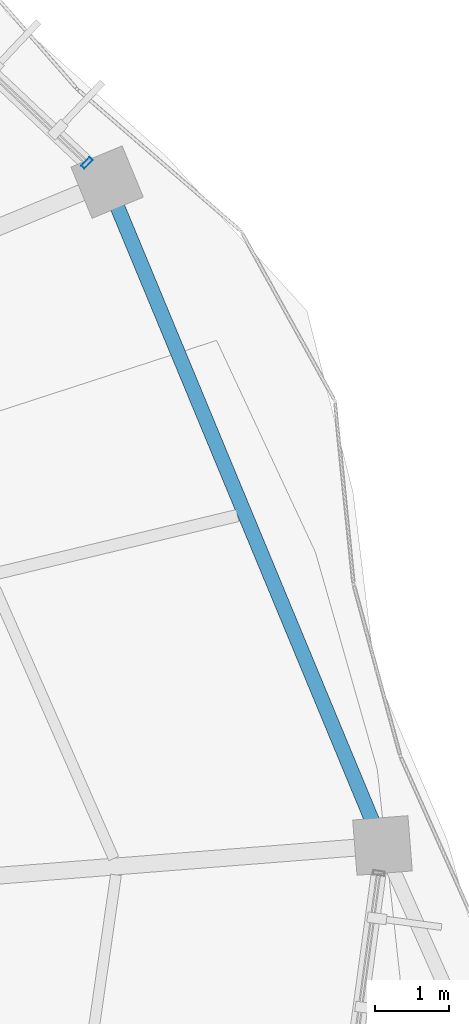
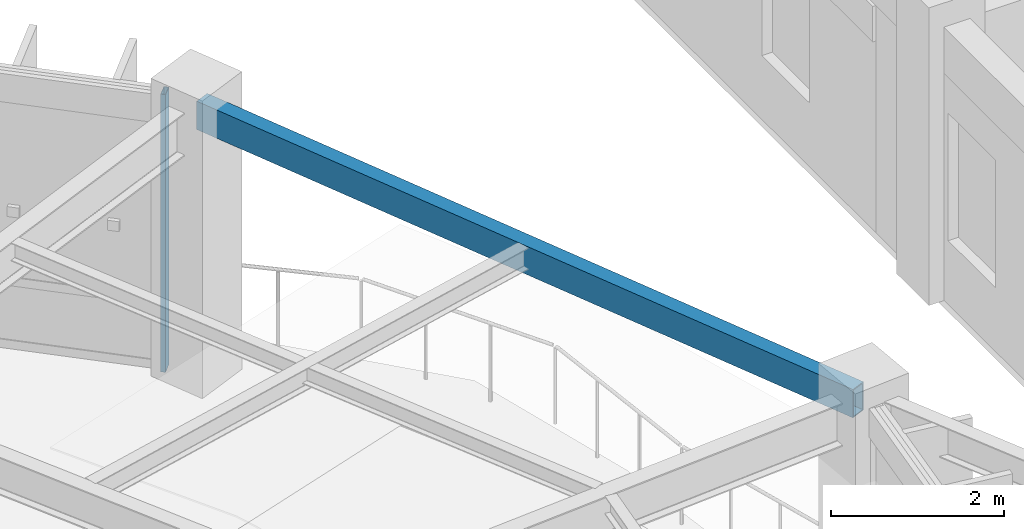
# One storey, part 107 of 152: 1 beam, 1 member, 1 element without a shape of its own.
"""IFC4 building model written with IfcOpenShell, lengths in metres."""

from ifc_helpers import new_model, si_unit, direction, frame, origin, origin_2d, place, context, subcontext, project, spatial, hollow_rectangle, extrude, material, material_profile, profile_set, type_object, element, aggregate, save


model = new_model("IFC4")

# Units and contexts
model_context = context("Model", 3, precision=1e-05, world=origin(), true_north=direction((0.0, 1.0)))
body_context = subcontext(model_context, "Body", "Model", "MODEL_VIEW")
ifc_project = project(units=[si_unit("LENGTHUNIT", "METRE"), si_unit("AREAUNIT", "SQUARE_METRE"), si_unit("VOLUMEUNIT", "CUBIC_METRE"), si_unit("PLANEANGLEUNIT", "RADIAN"), si_unit("MASSUNIT", "GRAM", prefix="KILO"), si_unit("THERMODYNAMICTEMPERATUREUNIT", "KELVIN"), si_unit("POWERUNIT", "WATT")], contexts=[model_context])

# Site, building, storey
site_placement = place(None, origin())
site = spatial("IfcSite", under=ifc_project, at=site_placement, CompositionType="ELEMENT")
building_placement = place(site_placement, origin())
building = spatial("IfcBuilding", under=site, at=building_placement, Name="Darbajah Civic Hall", CompositionType="ELEMENT")
storey_placement = place(building_placement, frame((0.0, 0.0, 5.39990234375)))
storey = spatial("IfcBuildingStorey", under=building, at=storey_placement, Name="L01", CompositionType="ELEMENT", Elevation=5.39990234375)

# Curtain wall, member
ifc_material_1 = material(Name="Anodised Bronze Aluminium and Low-E Glazing", Category="aluminium")
curtain_wall_type = type_object("IfcCurtainWallType", Name="Unitised Curtain Wall CW-19 10700x3900", PredefinedType="USERDEFINED", material=ifc_material_1)
curtain_wall_placement = place(storey_placement, origin())
curtain_wall = element("IfcCurtainWall", 1, at=curtain_wall_placement, inside=storey, type_object=curtain_wall_type, Name="L01 unitised curtain wall CW-V1O-L01-01", ObjectType="UNITISED CURTAIN WALL", PredefinedType="USERDEFINED")
ifc_material_2 = material(Name="Anodised Bronze Aluminium", Category="aluminium")
ifc_material_profile_1 = material_profile(ifc_material_2, hollow_rectangle(XDim=0.06005859375, YDim=0.159912109375, WallThickness=0.00341796875, at=origin_2d()), Name="ALU MULLION 60x160")
ifc_profile_set_1 = profile_set([ifc_material_profile_1], Name="Anodised Bronze Aluminium")
member_type = type_object("IfcMemberType", Name="ALU MULLION 60x160", PredefinedType="MULLION", material=ifc_profile_set_1)
member_placement = place(storey_placement, frame((135.943603515625, 101.347900390625, 0.0), z_axis=(0.0, 0.0, 1.0), x_axis=(-0.727173991201, 0.686453193248, 0.0)))
member = element("IfcMember", 2, at=member_placement, type_object=member_type, Name="CW-V1O-L01-01 mullion 1", PredefinedType="MULLION", context=body_context, shape_type="SweptSolid", body=[
    extrude(hollow_rectangle(XDim=0.06005859375, YDim=0.159912109375, WallThickness=0.00341796875, at=origin_2d()), origin(), (0.0, 0.0, 1.0), 3.920166015625),
])
aggregate(curtain_wall, [member])

# Beam
ifc_material_3 = material(Name="Steel S355JR", Category="steel")
ifc_material_profile_2 = material_profile(ifc_material_3, hollow_rectangle(XDim=0.199951171875, YDim=0.39990234375, WallThickness=0.013916015625, at=origin_2d()), Name="RHS 400x200x14")
ifc_profile_set_2 = profile_set([ifc_material_profile_2], Name="Steel S355JR")
beam_type = type_object("IfcBeamType", Name="RHS 400x200x14", PredefinedType="SPANDREL", material=ifc_profile_set_2)
beam_placement = place(storey_placement, frame((139.912109375, 92.1884765625, 3.72021484375), z_axis=(-0.38333984527, 0.923607364104, 0.0), x_axis=(-0.923607364104, -0.38333984527, 0.0)))
element("IfcBeam", 3, at=beam_placement, inside=storey, type_object=beam_type, Name="L01 beam SP-RHS400", PredefinedType="SPANDREL", context=body_context, shape_type="SweptSolid", body=[
    extrude(hollow_rectangle(XDim=0.199951171875, YDim=0.39990234375, WallThickness=0.013916015625, at=origin_2d()), origin(), (0.0, 0.0, 1.0), 9.556884765625),
])

save(model, "model.ifc")
